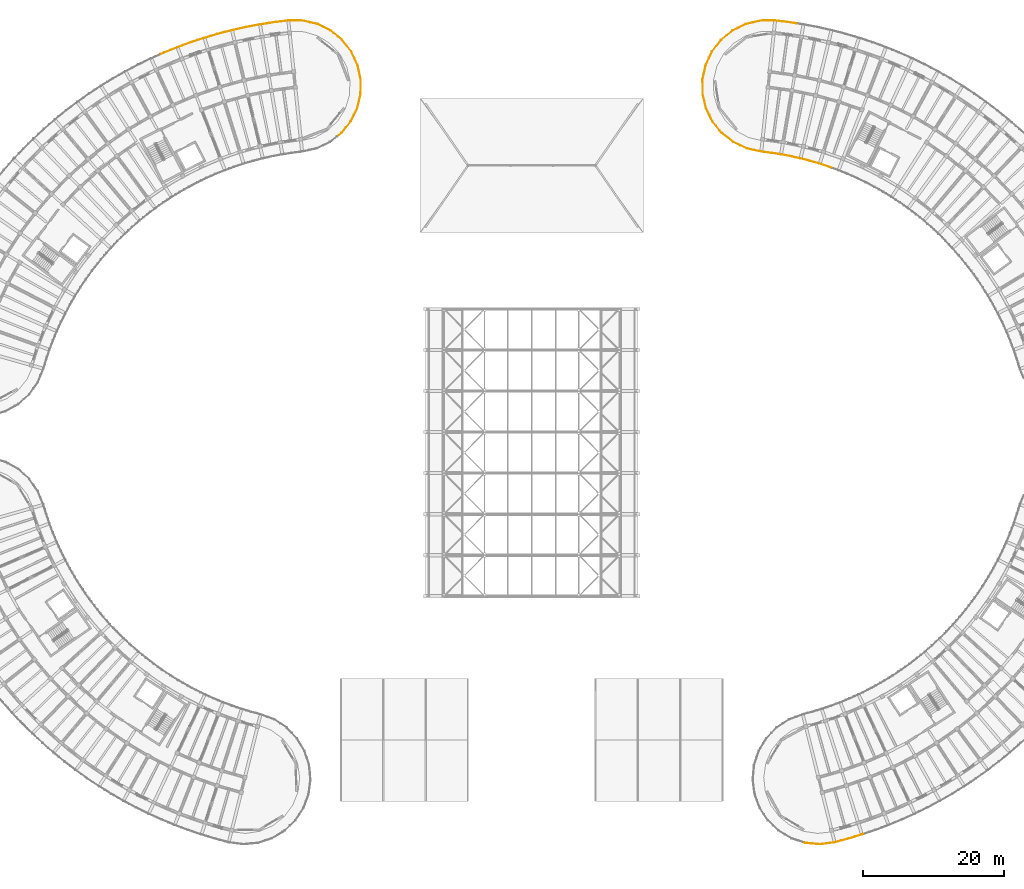
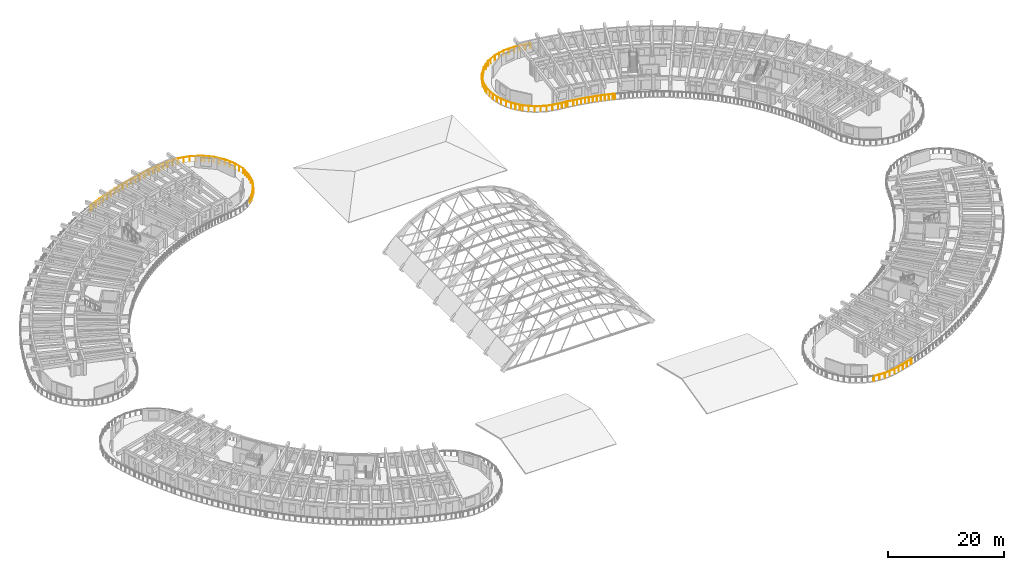
# One storey, part 73 of 81: 11 railings.
"""IFC4 building model written with IfcOpenShell, lengths in metres."""

from ifc_helpers import new_model, si_unit, direction, frame, origin, origin_2d, place, context, subcontext, project, spatial, circle, extrude, material, type_object, element, save


model = new_model("IFC4")

# Units and contexts
model_context = context("Model", 3, precision=1e-05, world=origin(), true_north=direction((0.0, 1.0)))
body_context = subcontext(model_context, "Body", "Model", "MODEL_VIEW")
ifc_project = project(units=[si_unit("LENGTHUNIT", "METRE"), si_unit("AREAUNIT", "SQUARE_METRE"), si_unit("VOLUMEUNIT", "CUBIC_METRE"), si_unit("PLANEANGLEUNIT", "RADIAN"), si_unit("MASSUNIT", "GRAM", prefix="KILO")], contexts=[model_context])

# Site, building, storey
site_placement = place(None, origin())
site = spatial("IfcSite", under=ifc_project, at=site_placement, CompositionType="ELEMENT")
building_placement = place(site_placement, origin())
building = spatial("IfcBuilding", under=site, at=building_placement, Name="Tanwirah Colonnade Gardens", CompositionType="ELEMENT")
storey_placement = place(building_placement, frame((0.0, 0.0, 8.840087890625)))
storey = spatial("IfcBuildingStorey", under=building, at=storey_placement, Name="L02", CompositionType="ELEMENT", Elevation=8.840087890625)

# Railings
ifc_material = material(Name="Precast concrete C40/50", Category="concrete")
railing_type_1 = type_object("IfcRailingType", Name="BAL-EXT110", PredefinedType="BALUSTRADE", material=ifc_material)
railing_1_placement = place(storey_placement, frame((139.878173828125, 6.161376953125, 0.0)))
element("IfcRailing", 1, at=railing_1_placement, inside=storey, type_object=railing_type_1, Name="Block D L02 Balcony Ribbon Balustrade 17", PredefinedType="BALUSTRADE", context=body_context, shape_type="SweptSolid", body=[
    extrude(circle(Radius=0.02392578125, at=origin_2d()), frame((-0.029541015625, -0.010009765625, 1.076171875), z_axis=(-0.947163067571, -0.320752433241, 0.0), x_axis=(0.320752433241, -0.947163067571, 0.0)), (0.0, 0.0, 1.0), 0.131591796875),
    extrude(circle(Radius=0.02392578125, at=origin_2d()), frame((-0.2138671875, -0.0712890625, 1.076171875), z_axis=(-0.957268624199, -0.289200243991, 0.0), x_axis=(0.289200243991, -0.957268624199, 0.0)), (0.0, 0.0, 1.0), 1.944091796875),
    extrude(circle(Radius=0.02392578125, at=origin_2d()), frame((-2.135009765625, -0.650634765625, 1.076171875), z_axis=(-0.966192437924, -0.257821979083, 0.0), x_axis=(0.257821979083, -0.966192437924, 0.0)), (0.0, 0.0, 1.0), 1.940185546875),
    extrude(circle(Radius=0.02392578125, at=origin_2d()), frame((-4.07080078125, -1.1630859375, 1.076171875), z_axis=(-0.991286952851, -0.131720071011, 0.0), x_axis=(0.131720071011, -0.991286952851, 0.0)), (0.0, 0.0, 1.0), 2.0283203125),
    extrude(circle(Radius=0.02392578125, at=origin_2d()), frame((-6.1435546875, -1.431396484375, 1.076171875), z_axis=(-0.995752995821, 0.0920650385, 0.0), x_axis=(-0.0920650385, -0.995752995821, 0.0)), (0.0, 0.0, 1.0), 2.0244140625),
    extrude(circle(Radius=0.02392578125, at=origin_2d()), frame((-8.22021484375, -1.232421875, 1.076171875), z_axis=(-0.949909728063, 0.312524412696, 0.0), x_axis=(-0.312524412696, -0.949909728063, 0.0)), (0.0, 0.0, 1.0), 0.05615234375),
    extrude(circle(Radius=0.02099609375, at=origin_2d()), origin(), (0.0, 0.0, 1.0), 1.049072265625),
    extrude(circle(Radius=0.02099609375, at=origin_2d()), frame((-0.183837890625, -0.062255859375, 0.0)), (0.0, 0.0, 1.0), 1.049072265625),
    extrude(circle(Radius=0.02099609375, at=origin_2d()), frame((-1.144287109375, -0.3525390625, 0.0)), (0.0, 0.0, 1.0), 1.049072265625),
    extrude(circle(Radius=0.02099609375, at=origin_2d()), frame((-2.104736328125, -0.642578125, 0.0)), (0.0, 0.0, 1.0), 1.049072265625),
    extrude(circle(Radius=0.02099609375, at=origin_2d()), frame((-3.072265625, -0.90087890625, 0.0)), (0.0, 0.0, 1.0), 1.049072265625),
    extrude(circle(Radius=0.02099609375, at=origin_2d()), frame((-4.039794921875, -1.158935546875, 0.0)), (0.0, 0.0, 1.0), 1.049072265625),
    extrude(circle(Radius=0.02099609375, at=origin_2d()), frame((-5.076171875, -1.296630859375, 0.0)), (0.0, 0.0, 1.0), 1.049072265625),
    extrude(circle(Radius=0.02099609375, at=origin_2d()), frame((-6.1123046875, -1.434326171875, 0.0)), (0.0, 0.0, 1.0), 1.049072265625),
    extrude(circle(Radius=0.02099609375, at=origin_2d()), frame((-7.1513671875, -1.33837890625, 0.0)), (0.0, 0.0, 1.0), 1.049072265625),
    extrude(circle(Radius=0.02099609375, at=origin_2d()), frame((-8.1904296875, -1.2421875, 0.0)), (0.0, 0.0, 1.0), 1.049072265625),
    extrude(circle(Radius=0.02099609375, at=origin_2d()), frame((-8.30322265625, -1.205078125, 0.0)), (0.0, 0.0, 1.0), 1.049072265625),
])
railing_type_2 = type_object("IfcRailingType", Name="BAL-EXT112", PredefinedType="BALUSTRADE", material=ifc_material)
railing_2_placement = place(storey_placement, frame((40.5517578125, 116.428466796875, 0.0)))
element("IfcRailing", 2, at=railing_2_placement, inside=storey, type_object=railing_type_2, Name="Block A L02 Balcony Ribbon Balustrade 17", PredefinedType="BALUSTRADE", context=body_context, shape_type="SweptSolid", body=[
    extrude(circle(Radius=0.02392578125, at=origin_2d()), frame((0.028564453125, 0.0126953125, 1.09619140625), z_axis=(0.914037447664, 0.405629811857, 0.0), x_axis=(-0.405629811857, 0.914037447664, 0.0)), (0.0, 0.0, 1.0), 0.471923828125),
    extrude(circle(Radius=0.02392578125, at=origin_2d()), frame((0.517578125, 0.228515625, 1.09619140625), z_axis=(0.926784720453, 0.375592973757, 0.0), x_axis=(-0.375592973757, 0.926784720453, 0.0)), (0.0, 0.0, 1.0), 1.958984375),
    extrude(circle(Radius=0.02392578125, at=origin_2d()), frame((2.391357421875, 0.98681640625, 1.09619140625), z_axis=(0.938723993457, 0.344669789956, 0.0), x_axis=(-0.344669789956, 0.938723993457, 0.0)), (0.0, 0.0, 1.0), 1.958984375),
    extrude(circle(Radius=0.02392578125, at=origin_2d()), frame((4.28955078125, 1.6826171875, 1.09619140625), z_axis=(0.949537316482, 0.313654084317, 0.0), x_axis=(-0.313654084317, 0.949537316482, 0.0)), (0.0, 0.0, 1.0), 1.958984375),
    extrude(circle(Radius=0.02392578125, at=origin_2d()), frame((6.209228515625, 2.315673828125, 1.09619140625), z_axis=(0.9593675466, 0.282159370801, 0.0), x_axis=(-0.282159370801, 0.9593675466, 0.0)), (0.0, 0.0, 1.0), 1.83837890625),
    extrude(circle(Radius=0.02099609375, at=origin_2d()), origin(), (0.0, 0.0, 1.0), 1.069091796875),
    extrude(circle(Radius=0.02099609375, at=origin_2d()), frame((0.488525390625, 0.216796875, 0.0)), (0.0, 0.0, 1.0), 1.069091796875),
    extrude(circle(Radius=0.02099609375, at=origin_2d()), frame((1.42529296875, 0.596435546875, 0.0)), (0.0, 0.0, 1.0), 1.069091796875),
    extrude(circle(Radius=0.02099609375, at=origin_2d()), frame((2.362060546875, 0.97607421875, 0.0)), (0.0, 0.0, 1.0), 1.069091796875),
    extrude(circle(Radius=0.02099609375, at=origin_2d()), frame((3.31103515625, 1.324462890625, 0.0)), (0.0, 0.0, 1.0), 1.069091796875),
    extrude(circle(Radius=0.02099609375, at=origin_2d()), frame((4.259765625, 1.6728515625, 0.0)), (0.0, 0.0, 1.0), 1.069091796875),
    extrude(circle(Radius=0.02099609375, at=origin_2d()), frame((5.219482421875, 1.98974609375, 0.0)), (0.0, 0.0, 1.0), 1.069091796875),
    extrude(circle(Radius=0.02099609375, at=origin_2d()), frame((6.17919921875, 2.306884765625, 0.0)), (0.0, 0.0, 1.0), 1.069091796875),
    extrude(circle(Radius=0.02099609375, at=origin_2d()), frame((7.091064453125, 2.5751953125, 0.0)), (0.0, 0.0, 1.0), 1.069091796875),
    extrude(circle(Radius=0.02099609375, at=origin_2d()), frame((8.0029296875, 2.84326171875, 0.0)), (0.0, 0.0, 1.0), 1.069091796875),
])
railing_3_placement = place(storey_placement, frame((48.5546875, 119.271728515625, 0.0)))
element("IfcRailing", 3, at=railing_3_placement, inside=storey, type_object=railing_type_2, Name="Block A L02 Balcony Ribbon Balustrade 18", PredefinedType="BALUSTRADE", context=body_context, shape_type="SweptSolid", body=[
    extrude(circle(Radius=0.02392578125, at=origin_2d()), frame((0.030029296875, 0.0087890625, 1.09619140625), z_axis=(0.959430074946, 0.281946681644, 0.0), x_axis=(-0.281946681644, 0.959430074946, 0.0)), (0.0, 0.0, 1.0), 0.057861328125),
    extrude(circle(Radius=0.02392578125, at=origin_2d()), frame((0.145751953125, 0.041748046875, 1.09619140625), z_axis=(0.968157509899, 0.250341838346, 0.0), x_axis=(-0.250341838346, 0.968157509899, 0.0)), (0.0, 0.0, 1.0), 1.959228515625),
    extrude(circle(Radius=0.02392578125, at=origin_2d()), frame((2.103271484375, 0.546875, 1.09619140625), z_axis=(0.975867729966, 0.218362482151, 0.0), x_axis=(-0.218362482151, 0.975867729966, 0.0)), (0.0, 0.0, 1.0), 1.958984375),
    extrude(circle(Radius=0.02392578125, at=origin_2d()), frame((4.076171875, 0.9873046875, 1.09619140625), z_axis=(0.982549371225, 0.186001970705, 0.0), x_axis=(-0.186001970705, 0.982549371225, 0.0)), (0.0, 0.0, 1.0), 1.958740234375),
    extrude(circle(Radius=0.02392578125, at=origin_2d()), frame((6.0625, 1.3623046875, 1.09619140625), z_axis=(0.988130323653, 0.153617913919, 0.0), x_axis=(-0.153617913919, 0.988130323653, 0.0)), (0.0, 0.0, 1.0), 1.958984375),
    extrude(circle(Radius=0.02392578125, at=origin_2d()), frame((8.06005859375, 1.671630859375, 1.09619140625), z_axis=(0.992706670136, 0.120554830125, 0.0), x_axis=(-0.120554830125, 0.992706670136, 0.0)), (0.0, 0.0, 1.0), 0.231201171875),
    extrude(circle(Radius=0.02099609375, at=origin_2d()), origin(), (0.0, 0.0, 1.0), 1.069091796875),
    extrude(circle(Radius=0.02099609375, at=origin_2d()), frame((0.115478515625, 0.033935546875, 0.0)), (0.0, 0.0, 1.0), 1.069091796875),
    extrude(circle(Radius=0.02099609375, at=origin_2d()), frame((1.09423828125, 0.287109375, 0.0)), (0.0, 0.0, 1.0), 1.069091796875),
    extrude(circle(Radius=0.02099609375, at=origin_2d()), frame((2.07275390625, 0.5400390625, 0.0)), (0.0, 0.0, 1.0), 1.069091796875),
    extrude(circle(Radius=0.02099609375, at=origin_2d()), frame((3.05908203125, 0.7607421875, 0.0)), (0.0, 0.0, 1.0), 1.069091796875),
    extrude(circle(Radius=0.02099609375, at=origin_2d()), frame((4.04541015625, 0.9814453125, 0.0)), (0.0, 0.0, 1.0), 1.069091796875),
    extrude(circle(Radius=0.02099609375, at=origin_2d()), frame((5.03857421875, 1.16943359375, 0.0)), (0.0, 0.0, 1.0), 1.069091796875),
    extrude(circle(Radius=0.02099609375, at=origin_2d()), frame((6.031494140625, 1.357421875, 0.0)), (0.0, 0.0, 1.0), 1.069091796875),
    extrude(circle(Radius=0.02099609375, at=origin_2d()), frame((7.0302734375, 1.5126953125, 0.0)), (0.0, 0.0, 1.0), 1.069091796875),
    extrude(circle(Radius=0.02099609375, at=origin_2d()), frame((8.029052734375, 1.66796875, 0.0)), (0.0, 0.0, 1.0), 1.069091796875),
    extrude(circle(Radius=0.02099609375, at=origin_2d()), frame((8.320556640625, 1.703369140625, 0.0)), (0.0, 0.0, 1.0), 1.069091796875),
])
railing_4_placement = place(storey_placement, frame((56.875244140625, 120.97509765625, 0.0)))
element("IfcRailing", 4, at=railing_4_placement, inside=storey, type_object=railing_type_2, Name="Block A L02 Balcony Ribbon Balustrade 19", PredefinedType="BALUSTRADE", context=body_context, shape_type="SweptSolid", body=[
    extrude(circle(Radius=0.02392578125, at=origin_2d()), frame((0.031005859375, 0.003662109375, 1.09619140625), z_axis=(0.992658739514, 0.120948860543, 0.0), x_axis=(-0.120948860543, 0.992658739514, 0.0)), (0.0, 0.0, 1.0), 1.661376953125),
    extrude(circle(Radius=0.02392578125, at=origin_2d()), frame((1.742431640625, 0.208251953125, 1.09619140625), z_axis=(0.999972077233, -0.00747293472, 0.0), x_axis=(0.00747293472, 0.999972077233, 0.0)), (0.0, 0.0, 1.0), 2.0283203125),
    extrude(circle(Radius=0.02392578125, at=origin_2d()), frame((3.83251953125, 0.185791015625, 1.09619140625), z_axis=(0.973245052386, -0.229769597654, 0.0), x_axis=(0.229769597654, 0.973245052386, 0.0)), (0.0, 0.0, 1.0), 2.0244140625),
    extrude(circle(Radius=0.02392578125, at=origin_2d()), frame((5.861083984375, -0.30029296875, 1.09619140625), z_axis=(0.89767854763, -0.440650910727, 0.0), x_axis=(0.440650910727, 0.89767854763, 0.0)), (0.0, 0.0, 1.0), 2.024658203125),
    extrude(circle(Radius=0.02392578125, at=origin_2d()), frame((7.73095703125, -1.22607421875, 1.09619140625), z_axis=(0.777222634712, -0.62922569567, 0.0), x_axis=(0.62922569567, 0.777222634712, 0.0)), (0.0, 0.0, 1.0), 0.448974609375),
    extrude(circle(Radius=0.02099609375, at=origin_2d()), origin(), (0.0, 0.0, 1.0), 1.069091796875),
    extrude(circle(Radius=0.02099609375, at=origin_2d()), frame((0.85546875, 0.104248046875, 0.0)), (0.0, 0.0, 1.0), 1.069091796875),
    extrude(circle(Radius=0.02099609375, at=origin_2d()), frame((1.711181640625, 0.20849609375, 0.0)), (0.0, 0.0, 1.0), 1.069091796875),
    extrude(circle(Radius=0.02099609375, at=origin_2d()), frame((2.756591796875, 0.20068359375, 0.0)), (0.0, 0.0, 1.0), 1.069091796875),
    extrude(circle(Radius=0.02099609375, at=origin_2d()), frame((3.802001953125, 0.19287109375, 0.0)), (0.0, 0.0, 1.0), 1.069091796875),
    extrude(circle(Radius=0.02099609375, at=origin_2d()), frame((4.8173828125, -0.046875, 0.0)), (0.0, 0.0, 1.0), 1.069091796875),
    extrude(circle(Radius=0.02099609375, at=origin_2d()), frame((5.8330078125, -0.28662109375, 0.0)), (0.0, 0.0, 1.0), 1.069091796875),
    extrude(circle(Radius=0.02099609375, at=origin_2d()), frame((6.769775390625, -0.74658203125, 0.0)), (0.0, 0.0, 1.0), 1.069091796875),
    extrude(circle(Radius=0.02099609375, at=origin_2d()), frame((7.70654296875, -1.206298828125, 0.0)), (0.0, 0.0, 1.0), 1.069091796875),
    extrude(circle(Radius=0.02099609375, at=origin_2d()), frame((8.10400390625, -1.528076171875, 0.0)), (0.0, 0.0, 1.0), 1.069091796875),
])
railing_5_placement = place(storey_placement, frame((64.979248046875, 119.447021484375, 0.0)))
element("IfcRailing", 5, at=railing_5_placement, inside=storey, type_object=railing_type_2, Name="Block A L02 Balcony Ribbon Balustrade 20", PredefinedType="BALUSTRADE", context=body_context, shape_type="SweptSolid", body=[
    extrude(circle(Radius=0.02392578125, at=origin_2d()), frame((0.0244140625, -0.019775390625, 1.09619140625), z_axis=(0.777151033754, -0.629314127233, 0.0), x_axis=(0.629314127233, 0.777151033754, 0.0)), (0.0, 0.0, 1.0), 1.512939453125),
    extrude(circle(Radius=0.02392578125, at=origin_2d()), frame((1.24365234375, -1.01611328125, 1.09619140625), z_axis=(0.617578689713, -0.786509098493, 0.0), x_axis=(0.786509098493, 0.617578689713, 0.0)), (0.0, 0.0, 1.0), 2.0244140625),
    extrude(circle(Radius=0.02392578125, at=origin_2d()), frame((2.526611328125, -2.6611328125, 1.09619140625), z_axis=(0.427120558346, -0.904194685142, 0.0), x_axis=(0.904194685142, 0.427120558346, 0.0)), (0.0, 0.0, 1.0), 2.0244140625),
    extrude(circle(Radius=0.02392578125, at=origin_2d()), frame((3.411376953125, -4.55029296875, 1.09619140625), z_axis=(0.215270196259, -0.97655452618, 0.0), x_axis=(0.97655452618, 0.215270196259, 0.0)), (0.0, 0.0, 1.0), 2.024169921875),
    extrude(circle(Radius=0.02392578125, at=origin_2d()), frame((3.853515625, -6.5888671875, 1.09619140625), z_axis=(-0.007720358143, -0.999970197591, 0.0), x_axis=(0.999970197591, -0.007720358143, 0.0)), (0.0, 0.0, 1.0), 0.6015625),
    extrude(circle(Radius=0.02099609375, at=origin_2d()), origin(), (0.0, 0.0, 1.0), 1.069091796875),
    extrude(circle(Radius=0.02099609375, at=origin_2d()), frame((0.6123046875, -0.49560546875, 0.0)), (0.0, 0.0, 1.0), 1.069091796875),
    extrude(circle(Radius=0.02099609375, at=origin_2d()), frame((1.224365234375, -0.991455078125, 0.0)), (0.0, 0.0, 1.0), 1.069091796875),
    extrude(circle(Radius=0.02099609375, at=origin_2d()), frame((1.86865234375, -1.81201171875, 0.0)), (0.0, 0.0, 1.0), 1.069091796875),
    extrude(circle(Radius=0.02099609375, at=origin_2d()), frame((2.51318359375, -2.6328125, 0.0)), (0.0, 0.0, 1.0), 1.069091796875),
    extrude(circle(Radius=0.02099609375, at=origin_2d()), frame((2.958984375, -3.576171875, 0.0)), (0.0, 0.0, 1.0), 1.069091796875),
    extrude(circle(Radius=0.02099609375, at=origin_2d()), frame((3.404541015625, -4.519775390625, 0.0)), (0.0, 0.0, 1.0), 1.069091796875),
    extrude(circle(Radius=0.02099609375, at=origin_2d()), frame((3.629150390625, -5.53857421875, 0.0)), (0.0, 0.0, 1.0), 1.069091796875),
    extrude(circle(Radius=0.02099609375, at=origin_2d()), frame((3.853759765625, -6.5576171875, 0.0)), (0.0, 0.0, 1.0), 1.069091796875),
    extrude(circle(Radius=0.02099609375, at=origin_2d()), frame((3.8486328125, -7.2216796875, 0.0)), (0.0, 0.0, 1.0), 1.069091796875),
])
railing_6_placement = place(storey_placement, frame((68.827880859375, 112.225341796875, 0.0)))
element("IfcRailing", 6, at=railing_6_placement, inside=storey, type_object=railing_type_2, Name="Block A L02 Balcony Ribbon Balustrade 21", PredefinedType="BALUSTRADE", context=body_context, shape_type="SweptSolid", body=[
    extrude(circle(Radius=0.02392578125, at=origin_2d()), frame((-0.000244140625, -0.03125, 1.09619140625), z_axis=(-0.007377973514, -0.999972782383, 0.0), x_axis=(0.999972782383, -0.007377973514, 0.0)), (0.0, 0.0, 1.0), 1.3603515625),
    extrude(circle(Radius=0.02392578125, at=origin_2d()), frame((-0.017578125, -1.453369140625, 1.09619140625), z_axis=(-0.229769597654, -0.973245052386, 0.0), x_axis=(0.973245052386, -0.229769597654, 0.0)), (0.0, 0.0, 1.0), 2.0244140625),
    extrude(circle(Radius=0.02392578125, at=origin_2d()), frame((-0.503662109375, -3.48193359375, 1.09619140625), z_axis=(-0.440650910727, -0.89767854763, 0.0), x_axis=(0.89767854763, -0.440650910727, 0.0)), (0.0, 0.0, 1.0), 2.024658203125),
    extrude(circle(Radius=0.02392578125, at=origin_2d()), frame((-1.429443359375, -5.351806640625, 1.09619140625), z_axis=(-0.629292457571, -0.777168580711, 0.0), x_axis=(0.777168580711, -0.629292457571, 0.0)), (0.0, 0.0, 1.0), 2.0244140625),
    extrude(circle(Radius=0.02392578125, at=origin_2d()), frame((-2.74755859375, -6.968505859375, 1.09619140625), z_axis=(-0.786525843464, -0.617557363784, 0.0), x_axis=(0.617557363784, -0.786525843464, 0.0)), (0.0, 0.0, 1.0), 0.75390625),
    extrude(circle(Radius=0.02099609375, at=origin_2d()), origin(), (0.0, 0.0, 1.0), 1.069091796875),
    extrude(circle(Radius=0.02099609375, at=origin_2d()), frame((-0.00537109375, -0.71142578125, 0.0)), (0.0, 0.0, 1.0), 1.069091796875),
    extrude(circle(Radius=0.02099609375, at=origin_2d()), frame((-0.010498046875, -1.4228515625, 0.0)), (0.0, 0.0, 1.0), 1.069091796875),
    extrude(circle(Radius=0.02099609375, at=origin_2d()), frame((-0.250244140625, -2.4384765625, 0.0)), (0.0, 0.0, 1.0), 1.069091796875),
    extrude(circle(Radius=0.02099609375, at=origin_2d()), frame((-0.489990234375, -3.453857421875, 0.0)), (0.0, 0.0, 1.0), 1.069091796875),
    extrude(circle(Radius=0.02099609375, at=origin_2d()), frame((-0.94970703125, -4.390625, 0.0)), (0.0, 0.0, 1.0), 1.069091796875),
    extrude(circle(Radius=0.02099609375, at=origin_2d()), frame((-1.40966796875, -5.327392578125, 0.0)), (0.0, 0.0, 1.0), 1.069091796875),
    extrude(circle(Radius=0.02099609375, at=origin_2d()), frame((-2.06640625, -6.13818359375, 0.0)), (0.0, 0.0, 1.0), 1.069091796875),
    extrude(circle(Radius=0.02099609375, at=origin_2d()), frame((-2.722900390625, -6.94921875, 0.0)), (0.0, 0.0, 1.0), 1.069091796875),
    extrude(circle(Radius=0.02099609375, at=origin_2d()), frame((-3.364990234375, -7.453369140625, 0.0)), (0.0, 0.0, 1.0), 1.069091796875),
])
railing_7_placement = place(storey_placement, frame((135.417236328125, 100.3662109375, 0.0)))
element("IfcRailing", 7, at=railing_7_placement, inside=storey, type_object=railing_type_2, Name="Block B L02 Balcony Ribbon Balustrade 6", PredefinedType="BALUSTRADE", context=body_context, shape_type="SweptSolid", body=[
    extrude(circle(Radius=0.02392578125, at=origin_2d()), frame((-0.029296875, 0.0107421875, 1.09619140625), z_axis=(-0.938686381743, 0.344772209916, 0.0), x_axis=(-0.344772209916, -0.938686381743, 0.0)), (0.0, 0.0, 1.0), 0.325439453125),
    extrude(circle(Radius=0.02392578125, at=origin_2d()), frame((-0.396728515625, 0.14453125, 1.09619140625), z_axis=(-0.949531842797, 0.313670654533, 0.0), x_axis=(-0.313670654533, -0.949531842797, 0.0)), (0.0, 0.0, 1.0), 1.341552734375),
    extrude(circle(Radius=0.02392578125, at=origin_2d()), frame((-1.73291015625, 0.584716796875, 1.09619140625), z_axis=(-0.959362733044, 0.282175736812, 0.0), x_axis=(-0.282175736812, -0.959362733044, 0.0)), (0.0, 0.0, 1.0), 1.341796875),
    extrude(circle(Radius=0.02392578125, at=origin_2d()), frame((-3.0830078125, 0.980712890625, 1.09619140625), z_axis=(-0.968157809477, 0.250340679771, 0.0), x_axis=(-0.250340679771, -0.968157809477, 0.0)), (0.0, 0.0, 1.0), 1.341796875),
    extrude(circle(Radius=0.02392578125, at=origin_2d()), frame((-4.4453125, 1.33203125, 1.09619140625), z_axis=(-0.975875211082, 0.218329046156, 0.0), x_axis=(-0.218329046156, -0.975875211082, 0.0)), (0.0, 0.0, 1.0), 1.342041015625),
    extrude(circle(Radius=0.02392578125, at=origin_2d()), frame((-5.818603515625, 1.63818359375, 1.09619140625), z_axis=(-0.982547926195, 0.186009603862, 0.0), x_axis=(-0.186009603862, -0.982547926195, 0.0)), (0.0, 0.0, 1.0), 1.341796875),
    extrude(circle(Radius=0.02392578125, at=origin_2d()), frame((-7.201416015625, 1.89892578125, 1.09619140625), z_axis=(-0.988128738312, 0.153628111108, 0.0), x_axis=(-0.153628111108, -0.988128738312, 0.0)), (0.0, 0.0, 1.0), 1.01171875),
    extrude(circle(Radius=0.02099609375, at=origin_2d()), origin(), (0.0, 0.0, 1.0), 1.069091796875),
    extrude(circle(Radius=0.02099609375, at=origin_2d()), frame((-0.3642578125, 0.1337890625, 0.0)), (0.0, 0.0, 1.0), 1.069091796875),
    extrude(circle(Radius=0.02099609375, at=origin_2d()), frame((-1.03369140625, 0.35498046875, 0.0)), (0.0, 0.0, 1.0), 1.069091796875),
    extrude(circle(Radius=0.02099609375, at=origin_2d()), frame((-1.7001953125, 0.5751953125, 0.0)), (0.0, 0.0, 1.0), 1.069091796875),
    extrude(circle(Radius=0.02099609375, at=origin_2d()), frame((-2.37646484375, 0.77392578125, 0.0)), (0.0, 0.0, 1.0), 1.069091796875),
    extrude(circle(Radius=0.02099609375, at=origin_2d()), frame((-3.050048828125, 0.97216796875, 0.0)), (0.0, 0.0, 1.0), 1.069091796875),
    extrude(circle(Radius=0.02099609375, at=origin_2d()), frame((-3.732421875, 1.148681640625, 0.0)), (0.0, 0.0, 1.0), 1.069091796875),
    extrude(circle(Radius=0.02099609375, at=origin_2d()), frame((-4.412353515625, 1.324462890625, 0.0)), (0.0, 0.0, 1.0), 1.069091796875),
    extrude(circle(Radius=0.02099609375, at=origin_2d()), frame((-5.10009765625, 1.478515625, 0.0)), (0.0, 0.0, 1.0), 1.069091796875),
    extrude(circle(Radius=0.02099609375, at=origin_2d()), frame((-5.785400390625, 1.6318359375, 0.0)), (0.0, 0.0, 1.0), 1.069091796875),
    extrude(circle(Radius=0.02099609375, at=origin_2d()), frame((-6.477783203125, 1.762939453125, 0.0)), (0.0, 0.0, 1.0), 1.069091796875),
    extrude(circle(Radius=0.02099609375, at=origin_2d()), frame((-7.167724609375, 1.8935546875, 0.0)), (0.0, 0.0, 1.0), 1.069091796875),
    extrude(circle(Radius=0.02099609375, at=origin_2d()), frame((-8.23193359375, 2.05908203125, 0.0)), (0.0, 0.0, 1.0), 1.069091796875),
])
railing_8_placement = place(storey_placement, frame((127.185302734375, 102.42529296875, 0.0)))
element("IfcRailing", 8, at=railing_8_placement, inside=storey, type_object=railing_type_2, Name="Block B L02 Balcony Ribbon Balustrade 7", PredefinedType="BALUSTRADE", context=body_context, shape_type="SweptSolid", body=[
    extrude(circle(Radius=0.02392578125, at=origin_2d()), frame((-0.031005859375, 0.0048828125, 1.09619140625), z_axis=(-0.988208661011, 0.153113168285, 0.0), x_axis=(-0.153113168285, -0.988208661011, 0.0)), (0.0, 0.0, 1.0), 0.267578125),
    extrude(circle(Radius=0.02392578125, at=origin_2d()), frame((-0.359619140625, 0.0546875, 1.09619140625), z_axis=(-0.99267751715, 0.120794647829, 0.0), x_axis=(-0.120794647829, -0.99267751715, 0.0)), (0.0, 0.0, 1.0), 1.338134765625),
    extrude(circle(Radius=0.02392578125, at=origin_2d()), frame((-1.74951171875, 0.22705078125, 1.09619140625), z_axis=(-0.976545428659, 0.215311462222, 0.0), x_axis=(-0.215311462222, -0.976545428659, 0.0)), (0.0, 0.0, 1.0), 2.029541015625),
    extrude(circle(Radius=0.02392578125, at=origin_2d()), frame((-3.790283203125, 0.68408203125, 1.09619140625), z_axis=(-0.904194685142, 0.427120558346, 0.0), x_axis=(-0.427120558346, -0.904194685142, 0.0)), (0.0, 0.0, 1.0), 2.0244140625),
    extrude(circle(Radius=0.02392578125, at=origin_2d()), frame((-5.673583984375, 1.581298828125, 1.09619140625), z_axis=(-0.786509098493, 0.617578689713, 0.0), x_axis=(-0.617578689713, -0.786509098493, 0.0)), (0.0, 0.0, 1.0), 2.0244140625),
    extrude(circle(Radius=0.02392578125, at=origin_2d()), frame((-7.31005859375, 2.875244140625, 1.09619140625), z_axis=(-0.62914215078, 0.777290263744, 0.0), x_axis=(-0.777290263744, -0.62914215078, 0.0)), (0.0, 0.0, 1.0), 0.4384765625),
    extrude(circle(Radius=0.02099609375, at=origin_2d()), origin(), (0.0, 0.0, 1.0), 1.069091796875),
    extrude(circle(Radius=0.02099609375, at=origin_2d()), frame((-0.326171875, 0.050537109375, 0.0)), (0.0, 0.0, 1.0), 1.069091796875),
    extrude(circle(Radius=0.02099609375, at=origin_2d()), frame((-1.02392578125, 0.1357421875, 0.0)), (0.0, 0.0, 1.0), 1.069091796875),
    extrude(circle(Radius=0.02099609375, at=origin_2d()), frame((-1.718994140625, 0.22021484375, 0.0)), (0.0, 0.0, 1.0), 1.069091796875),
    extrude(circle(Radius=0.02099609375, at=origin_2d()), frame((-2.740478515625, 0.4453125, 0.0)), (0.0, 0.0, 1.0), 1.069091796875),
    extrude(circle(Radius=0.02099609375, at=origin_2d()), frame((-3.761962890625, 0.670654296875, 0.0)), (0.0, 0.0, 1.0), 1.069091796875),
    extrude(circle(Radius=0.02099609375, at=origin_2d()), frame((-4.70556640625, 1.1162109375, 0.0)), (0.0, 0.0, 1.0), 1.069091796875),
    extrude(circle(Radius=0.02099609375, at=origin_2d()), frame((-5.64892578125, 1.56201171875, 0.0)), (0.0, 0.0, 1.0), 1.069091796875),
    extrude(circle(Radius=0.02099609375, at=origin_2d()), frame((-6.4697265625, 2.20654296875, 0.0)), (0.0, 0.0, 1.0), 1.069091796875),
    extrude(circle(Radius=0.02099609375, at=origin_2d()), frame((-7.290283203125, 2.850830078125, 0.0)), (0.0, 0.0, 1.0), 1.069091796875),
    extrude(circle(Radius=0.02099609375, at=origin_2d()), frame((-7.60546875, 3.240234375, 0.0)), (0.0, 0.0, 1.0), 1.069091796875),
])
railing_9_placement = place(storey_placement, frame((119.579833984375, 105.66552734375, 0.0)))
element("IfcRailing", 9, at=railing_9_placement, inside=storey, type_object=railing_type_2, Name="Block B L02 Balcony Ribbon Balustrade 8", PredefinedType="BALUSTRADE", context=body_context, shape_type="SweptSolid", body=[
    extrude(circle(Radius=0.02392578125, at=origin_2d()), frame((-0.019775390625, 0.0244140625, 1.09619140625), z_axis=(-0.629339934839, 0.777130134801, 0.0), x_axis=(-0.777130134801, -0.629339934839, 0.0)), (0.0, 0.0, 1.0), 1.5234375),
    extrude(circle(Radius=0.02392578125, at=origin_2d()), frame((-1.01171875, 1.260498046875, 1.09619140625), z_axis=(-0.440650910727, 0.89767854763, 0.0), x_axis=(-0.89767854763, -0.440650910727, 0.0)), (0.0, 0.0, 1.0), 2.024658203125),
    extrude(circle(Radius=0.02392578125, at=origin_2d()), frame((-1.9248046875, 3.136474609375, 1.09619140625), z_axis=(-0.229769597654, 0.973245052386, 0.0), x_axis=(-0.973245052386, -0.229769597654, 0.0)), (0.0, 0.0, 1.0), 2.0244140625),
    extrude(circle(Radius=0.02392578125, at=origin_2d()), frame((-2.3974609375, 5.168212890625, 1.09619140625), z_axis=(-0.007486921648, 0.999971972609, 0.0), x_axis=(-0.999971972609, -0.007486921648, 0.0)), (0.0, 0.0, 1.0), 2.0244140625),
    extrude(circle(Radius=0.02392578125, at=origin_2d()), frame((-2.406005859375, 7.25439453125, 1.09619140625), z_axis=(0.215268146696, 0.97655497798, 0.0), x_axis=(-0.97655497798, 0.215268146696, 0.0)), (0.0, 0.0, 1.0), 0.5908203125),
    extrude(circle(Radius=0.02099609375, at=origin_2d()), origin(), (0.0, 0.0, 1.0), 1.069091796875),
    extrude(circle(Radius=0.02099609375, at=origin_2d()), frame((-0.4990234375, 0.6162109375, 0.0)), (0.0, 0.0, 1.0), 1.069091796875),
    extrude(circle(Radius=0.02099609375, at=origin_2d()), frame((-0.998046875, 1.232421875, 0.0)), (0.0, 0.0, 1.0), 1.069091796875),
    extrude(circle(Radius=0.02099609375, at=origin_2d()), frame((-1.4580078125, 2.169189453125, 0.0)), (0.0, 0.0, 1.0), 1.069091796875),
    extrude(circle(Radius=0.02099609375, at=origin_2d()), frame((-1.917724609375, 3.10595703125, 0.0)), (0.0, 0.0, 1.0), 1.069091796875),
    extrude(circle(Radius=0.02099609375, at=origin_2d()), frame((-2.157470703125, 4.12158203125, 0.0)), (0.0, 0.0, 1.0), 1.069091796875),
    extrude(circle(Radius=0.02099609375, at=origin_2d()), frame((-2.397216796875, 5.136962890625, 0.0)), (0.0, 0.0, 1.0), 1.069091796875),
    extrude(circle(Radius=0.02099609375, at=origin_2d()), frame((-2.405029296875, 6.180419921875, 0.0)), (0.0, 0.0, 1.0), 1.069091796875),
    extrude(circle(Radius=0.02099609375, at=origin_2d()), frame((-2.412841796875, 7.223876953125, 0.0)), (0.0, 0.0, 1.0), 1.069091796875),
    extrude(circle(Radius=0.02099609375, at=origin_2d()), frame((-2.272216796875, 7.86181640625, 0.0)), (0.0, 0.0, 1.0), 1.069091796875),
])
railing_10_placement = place(storey_placement, frame((117.3076171875, 113.52734375, 0.0)))
element("IfcRailing", 10, at=railing_10_placement, inside=storey, type_object=railing_type_2, Name="Block B L02 Balcony Ribbon Balustrade 9", PredefinedType="BALUSTRADE", context=body_context, shape_type="SweptSolid", body=[
    extrude(circle(Radius=0.02392578125, at=origin_2d()), frame((0.0068359375, 0.030517578125, 1.09619140625), z_axis=(0.215271130249, 0.976554320292, 0.0), x_axis=(-0.976554320292, 0.215271130249, 0.0)), (0.0, 0.0, 1.0), 1.37109375),
    extrude(circle(Radius=0.02392578125, at=origin_2d()), frame((0.322021484375, 1.42822265625, 1.09619140625), z_axis=(0.427120558346, 0.904194685142, 0.0), x_axis=(-0.904194685142, 0.427120558346, 0.0)), (0.0, 0.0, 1.0), 2.0244140625),
    extrude(circle(Radius=0.02392578125, at=origin_2d()), frame((1.21923828125, 3.3115234375, 1.09619140625), z_axis=(0.617578689713, 0.786509098493, 0.0), x_axis=(-0.786509098493, 0.617578689713, 0.0)), (0.0, 0.0, 1.0), 2.0244140625),
    extrude(circle(Radius=0.02392578125, at=origin_2d()), frame((2.51318359375, 4.947998046875, 1.09619140625), z_axis=(0.777168580711, 0.629292457571, 0.0), x_axis=(-0.629292457571, 0.777168580711, 0.0)), (0.0, 0.0, 1.0), 2.0244140625),
    extrude(circle(Radius=0.02392578125, at=origin_2d()), frame((4.138671875, 6.255126953125, 1.09619140625), z_axis=(0.897735153501, 0.440535576507, 0.0), x_axis=(-0.440535576507, 0.897735153501, 0.0)), (0.0, 0.0, 1.0), 0.7431640625),
    extrude(circle(Radius=0.02099609375, at=origin_2d()), origin(), (0.0, 0.0, 1.0), 1.069091796875),
    extrude(circle(Radius=0.02099609375, at=origin_2d()), frame((0.154296875, 0.699951171875, 0.0)), (0.0, 0.0, 1.0), 1.069091796875),
    extrude(circle(Radius=0.02099609375, at=origin_2d()), frame((0.30859375, 1.39990234375, 0.0)), (0.0, 0.0, 1.0), 1.069091796875),
    extrude(circle(Radius=0.02099609375, at=origin_2d()), frame((0.75439453125, 2.34326171875, 0.0)), (0.0, 0.0, 1.0), 1.069091796875),
    extrude(circle(Radius=0.02099609375, at=origin_2d()), frame((1.199951171875, 3.286865234375, 0.0)), (0.0, 0.0, 1.0), 1.069091796875),
    extrude(circle(Radius=0.02099609375, at=origin_2d()), frame((1.84423828125, 4.107421875, 0.0)), (0.0, 0.0, 1.0), 1.069091796875),
    extrude(circle(Radius=0.02099609375, at=origin_2d()), frame((2.48876953125, 4.92822265625, 0.0)), (0.0, 0.0, 1.0), 1.069091796875),
    extrude(circle(Radius=0.02099609375, at=origin_2d()), frame((3.2998046875, 5.5849609375, 0.0)), (0.0, 0.0, 1.0), 1.069091796875),
    extrude(circle(Radius=0.02099609375, at=origin_2d()), frame((4.110595703125, 6.241455078125, 0.0)), (0.0, 0.0, 1.0), 1.069091796875),
    extrude(circle(Radius=0.02099609375, at=origin_2d()), frame((4.833984375, 6.596435546875, 0.0)), (0.0, 0.0, 1.0), 1.069091796875),
])
railing_11_placement = place(storey_placement, frame((122.1416015625, 120.123779296875, 0.0)))
element("IfcRailing", 11, at=railing_11_placement, inside=storey, type_object=railing_type_2, Name="Block B L02 Balcony Ribbon Balustrade 10", PredefinedType="BALUSTRADE", context=body_context, shape_type="SweptSolid", body=[
    extrude(circle(Radius=0.02392578125, at=origin_2d()), frame((0.028076171875, 0.013671875, 1.09619140625), z_axis=(0.897642941236, 0.440723439414, 0.0), x_axis=(-0.440723439414, 0.897642941236, 0.0)), (0.0, 0.0, 1.0), 1.21875),
    extrude(circle(Radius=0.02392578125, at=origin_2d()), frame((1.1806640625, 0.57177734375, 1.09619140625), z_axis=(0.973245052386, 0.229769597654, 0.0), x_axis=(-0.229769597654, 0.973245052386, 0.0)), (0.0, 0.0, 1.0), 2.0244140625),
    extrude(circle(Radius=0.02392578125, at=origin_2d()), frame((3.21240234375, 1.04443359375, 1.09619140625), z_axis=(0.999972077233, 0.00747293472, 0.0), x_axis=(-0.00747293472, 0.999972077233, 0.0)), (0.0, 0.0, 1.0), 2.0283203125),
    extrude(circle(Radius=0.02392578125, at=origin_2d()), frame((5.302978515625, 1.05615234375, 1.09619140625), z_axis=(0.992665725565, -0.120891510403, 0.0), x_axis=(0.120891510403, 0.992665725565, 0.0)), (0.0, 0.0, 1.0), 1.955078125),
    extrude(circle(Radius=0.02392578125, at=origin_2d()), frame((7.3056640625, 0.81103515625, 1.09619140625), z_axis=(0.988133367747, -0.153598331844, 0.0), x_axis=(0.153598331844, 0.988133367747, 0.0)), (0.0, 0.0, 1.0), 0.961181640625),
    extrude(circle(Radius=0.02099609375, at=origin_2d()), origin(), (0.0, 0.0, 1.0), 1.069091796875),
    extrude(circle(Radius=0.02099609375, at=origin_2d()), frame((1.150146484375, 0.564697265625, 0.0)), (0.0, 0.0, 1.0), 1.069091796875),
    extrude(circle(Radius=0.02099609375, at=origin_2d()), frame((2.16552734375, 0.804443359375, 0.0)), (0.0, 0.0, 1.0), 1.069091796875),
    extrude(circle(Radius=0.02099609375, at=origin_2d()), frame((3.18115234375, 1.044189453125, 0.0)), (0.0, 0.0, 1.0), 1.069091796875),
    extrude(circle(Radius=0.02099609375, at=origin_2d()), frame((4.2265625, 1.052001953125, 0.0)), (0.0, 0.0, 1.0), 1.069091796875),
    extrude(circle(Radius=0.02099609375, at=origin_2d()), frame((5.27197265625, 1.059814453125, 0.0)), (0.0, 0.0, 1.0), 1.069091796875),
    extrude(circle(Radius=0.02099609375, at=origin_2d()), frame((6.2734375, 0.93798828125, 0.0)), (0.0, 0.0, 1.0), 1.069091796875),
    extrude(circle(Radius=0.02099609375, at=origin_2d()), frame((7.274658203125, 0.81591796875, 0.0)), (0.0, 0.0, 1.0), 1.069091796875),
    extrude(circle(Radius=0.02099609375, at=origin_2d()), frame((8.2861328125, 0.65869140625, 0.0)), (0.0, 0.0, 1.0), 1.069091796875),
])

save(model, "model.ifc")
